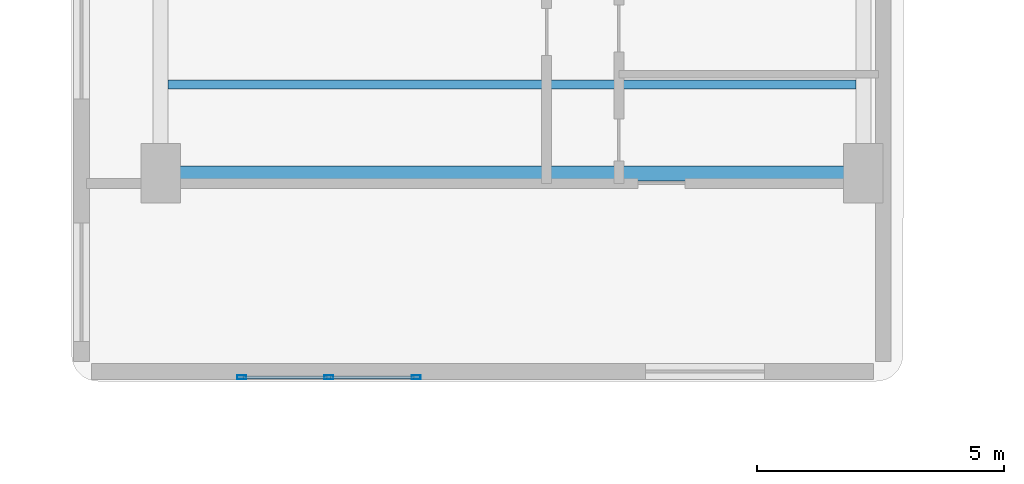
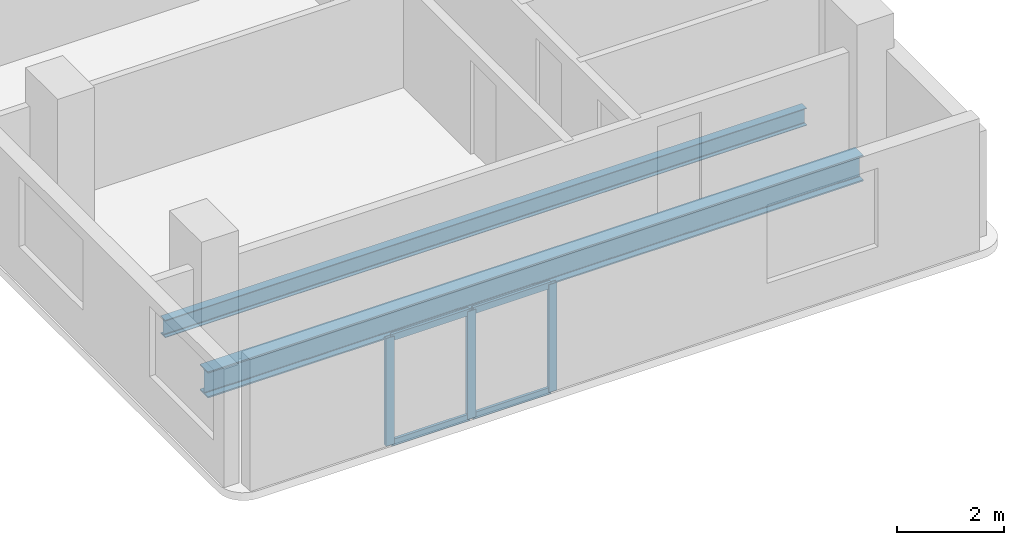
# One storey, part 2 of 14: 7 members, 2 beams, 1 element without a shape of its own.
"""IFC4 building model written with IfcOpenShell, lengths in metres."""

from ifc_helpers import new_model, si_unit, direction, frame, origin, origin_2d, place, context, subcontext, project, spatial, hollow_rectangle, i_section, extrude, material, material_profile, profile_set, type_object, element, aggregate, save


model = new_model("IFC4")

# Units and contexts
model_context = context("Model", 3, precision=1e-05, world=origin(), true_north=direction((0.0, 1.0)))
body_context = subcontext(model_context, "Body", "Model", "MODEL_VIEW")
ifc_project = project(units=[si_unit("LENGTHUNIT", "METRE"), si_unit("AREAUNIT", "SQUARE_METRE"), si_unit("VOLUMEUNIT", "CUBIC_METRE"), si_unit("PLANEANGLEUNIT", "RADIAN"), si_unit("MASSUNIT", "GRAM", prefix="KILO")], contexts=[model_context])

# Site, building, storey
site_placement = place(None, origin())
site = spatial("IfcSite", under=ifc_project, at=site_placement, CompositionType="ELEMENT")
building_placement = place(site_placement, origin())
building = spatial("IfcBuilding", under=site, at=building_placement, Name="Kuzgunbayir Cultural Tower", CompositionType="ELEMENT")
storey_placement = place(building_placement, frame((0.0, 0.0, 69.199951171875)))
storey = spatial("IfcBuildingStorey", under=building, at=storey_placement, Name="L19", CompositionType="ELEMENT", Elevation=69.199951171875)

# Beams
ifc_material_1 = material(Name="Steel S355J2", Category="steel")
ifc_material_profile_1 = material_profile(ifc_material_1, i_section(OverallWidth=0.300048828125, OverallDepth=0.60009765625, WebThickness=0.015380859375, FlangeThickness=0.030029296875, FilletRadius=0.027099609375, at=origin_2d()), Name="HEB 600")
ifc_profile_set_1 = profile_set([ifc_material_profile_1], Name="Steel S355J2")
beam_type_1 = type_object("IfcBeamType", Name="BM-GIR-HEB600", PredefinedType="BEAM", material=ifc_profile_set_1)
beam_1_placement = place(storey_placement, frame((5.39990234375, 12.60009765625, -0.47998046875), z_axis=(1.0, 0.0, 0.0), x_axis=(0.0, 1.0, 0.0)))
element("IfcBeam", 1, at=beam_1_placement, inside=storey, type_object=beam_type_1, Name="L19 Wing A Transverse Girder 1", PredefinedType="BEAM", context=body_context, shape_type="SweptSolid", body=[
    extrude(i_section(OverallWidth=0.300048828125, OverallDepth=0.60009765625, WebThickness=0.015380859375, FlangeThickness=0.030029296875, FilletRadius=0.027099609375, at=origin_2d()), origin(), (0.0, 0.0, 1.0), 14.2001953125),
])
ifc_material_profile_2 = material_profile(ifc_material_1, i_section(OverallWidth=0.179931640625, OverallDepth=0.39990234375, WebThickness=0.008544921875, FlangeThickness=0.013427734375, FilletRadius=0.02099609375, at=origin_2d()), Name="IPE 400")
ifc_profile_set_2 = profile_set([ifc_material_profile_2], Name="Steel S355J2")
beam_type_2 = type_object("IfcBeamType", Name="BM-JST-IPE400", PredefinedType="JOIST", material=ifc_profile_set_2)
beam_2_placement = place(storey_placement, frame((5.550048828125, 14.39990234375, -0.3798828125), z_axis=(1.0, 0.0, 0.0), x_axis=(0.0, 1.0, 0.0)))
element("IfcBeam", 2, at=beam_2_placement, inside=storey, type_object=beam_type_2, Name="L19 Wing A Secondary Joist 1", PredefinedType="JOIST", context=body_context, shape_type="SweptSolid", body=[
    extrude(i_section(OverallWidth=0.179931640625, OverallDepth=0.39990234375, WebThickness=0.008544921875, FlangeThickness=0.013427734375, FilletRadius=0.02099609375, at=origin_2d()), origin(), (0.0, 0.0, 1.0), 13.89990234375),
])

# Curtain wall, members
ifc_material_2 = material(Name="Anodised Aluminium Framing", Category="aluminium")
curtain_wall_type = type_object("IfcCurtainWallType", Name="CW03-T1-OFFICE", PredefinedType="NOTDEFINED", material=ifc_material_2)
curtain_wall_placement = place(storey_placement, origin())
curtain_wall = element("IfcCurtainWall", 3, at=curtain_wall_placement, inside=storey, type_object=curtain_wall_type, Name="L19 Wing A South Feature Curtain Wall", PredefinedType="NOTDEFINED")
ifc_material_profile_3 = material_profile(ifc_material_2, hollow_rectangle(XDim=0.074951171875, YDim=0.179931640625, WallThickness=0.0048828125, at=origin_2d()), Name="RHS 180x75x5")
ifc_profile_set_3 = profile_set([ifc_material_profile_3], Name="Anodised Aluminium Framing")
member_type_1 = type_object("IfcMemberType", Name="MEM-CW-MULLION-180", PredefinedType="MULLION", material=ifc_profile_set_3)
member_1_placement = place(storey_placement, frame((7.03759765625, 8.47998046875, 0.0), z_axis=(0.0, 0.0, 1.0), x_axis=(0.0, 1.0, 0.0)))
member_1 = element("IfcMember", 4, at=member_1_placement, type_object=member_type_1, Name="CW03 mullion 1", PredefinedType="MULLION", context=body_context, shape_type="SweptSolid", body=[
    extrude(hollow_rectangle(XDim=0.074951171875, YDim=0.179931640625, WallThickness=0.0048828125, at=origin_2d()), origin(), (0.0, 0.0, 1.0), 2.469970703125),
])
member_2_placement = place(storey_placement, frame((8.800048828125, 8.47998046875, 0.0), z_axis=(0.0, 0.0, 1.0), x_axis=(0.0, 1.0, 0.0)))
member_2 = element("IfcMember", 5, at=member_2_placement, type_object=member_type_1, Name="CW03 mullion 2", PredefinedType="MULLION", context=body_context, shape_type="SweptSolid", body=[
    extrude(hollow_rectangle(XDim=0.074951171875, YDim=0.179931640625, WallThickness=0.0048828125, at=origin_2d()), origin(), (0.0, 0.0, 1.0), 2.469970703125),
])
member_3_placement = place(storey_placement, frame((10.5625, 8.47998046875, 0.0), z_axis=(0.0, 0.0, 1.0), x_axis=(0.0, 1.0, 0.0)))
member_3 = element("IfcMember", 6, at=member_3_placement, type_object=member_type_1, Name="CW03 mullion 3", PredefinedType="MULLION", context=body_context, shape_type="SweptSolid", body=[
    extrude(hollow_rectangle(XDim=0.074951171875, YDim=0.179931640625, WallThickness=0.0048828125, at=origin_2d()), origin(), (0.0, 0.0, 1.0), 2.469970703125),
])
ifc_material_profile_4 = material_profile(ifc_material_2, hollow_rectangle(XDim=0.06005859375, YDim=0.14990234375, WallThickness=0.00390625, at=origin_2d()), Name="RHS 150x60x4")
ifc_profile_set_4 = profile_set([ifc_material_profile_4], Name="Anodised Aluminium Framing")
member_type_2 = type_object("IfcMemberType", Name="MEM-CW-TRANSOM-150", PredefinedType="USERDEFINED", material=ifc_profile_set_4)
member_4_placement = place(storey_placement, frame((7.074951171875, 8.47998046875, 0.030029296875), z_axis=(1.0, 0.0, 0.0), x_axis=(0.0, 1.0, 0.0)))
member_4 = element("IfcMember", 7, at=member_4_placement, type_object=member_type_2, Name="CW03 transom 1.1", ObjectType="TRANSOM", PredefinedType="USERDEFINED", context=body_context, shape_type="SweptSolid", body=[
    extrude(hollow_rectangle(XDim=0.06005859375, YDim=0.14990234375, WallThickness=0.00390625, at=origin_2d()), origin(), (0.0, 0.0, 1.0), 1.6875),
])
member_5_placement = place(storey_placement, frame((7.074951171875, 8.47998046875, 2.43994140625), z_axis=(1.0, 0.0, 0.0), x_axis=(0.0, 1.0, 0.0)))
member_5 = element("IfcMember", 8, at=member_5_placement, type_object=member_type_2, Name="CW03 transom 1.2", ObjectType="TRANSOM", PredefinedType="USERDEFINED", context=body_context, shape_type="SweptSolid", body=[
    extrude(hollow_rectangle(XDim=0.06005859375, YDim=0.14990234375, WallThickness=0.00390625, at=origin_2d()), origin(), (0.0, 0.0, 1.0), 1.6875),
])
member_6_placement = place(storey_placement, frame((8.83740234375, 8.47998046875, 0.030029296875), z_axis=(1.0, 0.0, 0.0), x_axis=(0.0, 1.0, 0.0)))
member_6 = element("IfcMember", 9, at=member_6_placement, type_object=member_type_2, Name="CW03 transom 2.1", ObjectType="TRANSOM", PredefinedType="USERDEFINED", context=body_context, shape_type="SweptSolid", body=[
    extrude(hollow_rectangle(XDim=0.06005859375, YDim=0.14990234375, WallThickness=0.00390625, at=origin_2d()), origin(), (0.0, 0.0, 1.0), 1.6875),
])
member_7_placement = place(storey_placement, frame((8.83740234375, 8.47998046875, 2.43994140625), z_axis=(1.0, 0.0, 0.0), x_axis=(0.0, 1.0, 0.0)))
member_7 = element("IfcMember", 10, at=member_7_placement, type_object=member_type_2, Name="CW03 transom 2.2", ObjectType="TRANSOM", PredefinedType="USERDEFINED", context=body_context, shape_type="SweptSolid", body=[
    extrude(hollow_rectangle(XDim=0.06005859375, YDim=0.14990234375, WallThickness=0.00390625, at=origin_2d()), origin(), (0.0, 0.0, 1.0), 1.6875),
])
aggregate(curtain_wall, [member_1, member_2, member_3, member_4, member_5, member_6, member_7])

save(model, "model.ifc")
